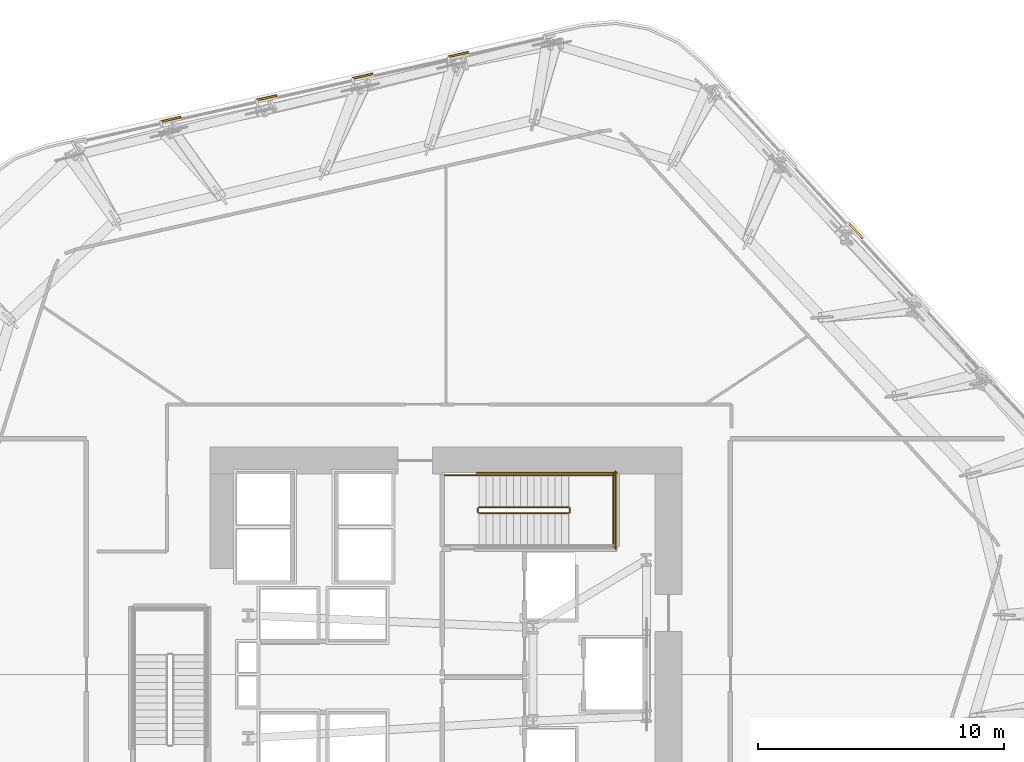
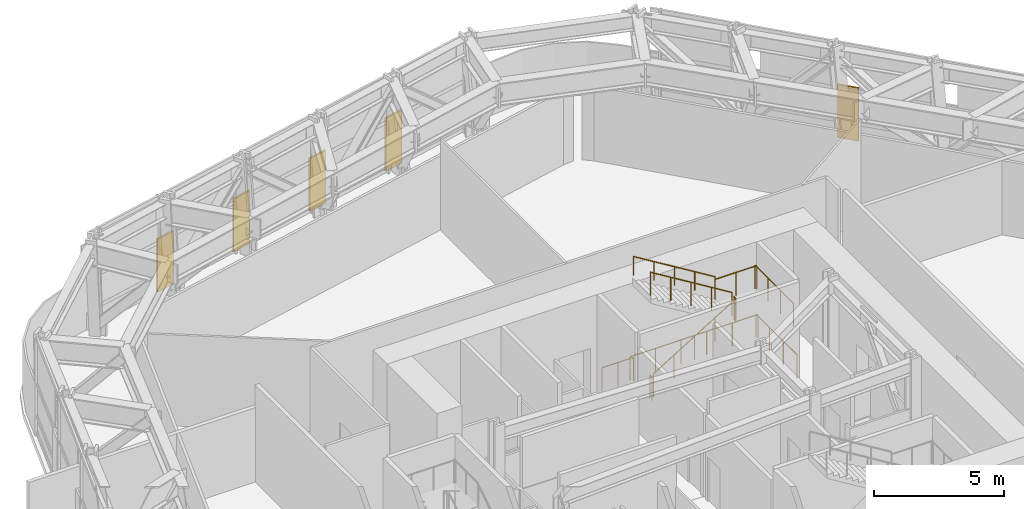
# One storey, part 15 of 16: 10 railings, 5 coverings.
"""IFC4 building model written with IfcOpenShell, lengths in metres."""

from ifc_helpers import new_model, si_unit, direction, frame, origin, origin_2d, place, context, subcontext, project, spatial, polyline, circle, outline, extrude, material, layer, layer_set, type_object, element, save


model = new_model("IFC4")

# Units and contexts
model_context = context("Model", 3, precision=1e-05, world=origin(), true_north=direction((0.0, 1.0)))
body_context = subcontext(model_context, "Body", "Model", "MODEL_VIEW")
ifc_project = project(units=[si_unit("LENGTHUNIT", "METRE"), si_unit("AREAUNIT", "SQUARE_METRE"), si_unit("VOLUMEUNIT", "CUBIC_METRE"), si_unit("PLANEANGLEUNIT", "RADIAN"), si_unit("MASSUNIT", "GRAM", prefix="KILO")], contexts=[model_context])

# Site, building, storey
site_placement = place(None, origin())
site = spatial("IfcSite", under=ifc_project, at=site_placement, CompositionType="ELEMENT")
building_placement = place(site_placement, origin())
building = spatial("IfcBuilding", under=site, at=building_placement, Name="Valkerne Bourse Tower", CompositionType="ELEMENT")
storey_placement = place(building_placement, frame((0.0, 0.0, 77.199951171875)))
storey = spatial("IfcBuildingStorey", under=building, at=storey_placement, Name="L19", CompositionType="ELEMENT", Elevation=77.199951171875)

# Coverings
ifc_material_1 = material(Name="Bronze Anodised Aluminium AA 6063-T6", Category="aluminium")
ifc_layer = layer(ifc_material_1, 0.06005859375)
ifc_layer_set = layer_set([ifc_layer], Name="Bronze Anodised Aluminium AA 6063-T6")
covering_type = type_object("IfcCoveringType", Name="COV-CRN-ALUM", PredefinedType="CLADDING", material=ifc_layer_set)
covering_1_placement = place(storey_placement, origin())
element("IfcCovering", 1, at=covering_1_placement, inside=storey, type_object=covering_type, Name="L19 Wind-Shaped Corner Aluminium Cladding 17", PredefinedType="CLADDING", context=body_context, shape_type="SweptSolid", body=[
    extrude(outline(polyline([(36.0146484375, 49.69921875), (36.031982421875, 49.62109375), (35.212646484375, 49.436279296875), (35.195068359375, 49.514404296875), (36.0146484375, 49.69921875)])), origin(), (0.0, 0.0, 1.0), 2.5),
])
covering_2_placement = place(storey_placement, origin())
element("IfcCovering", 2, at=covering_2_placement, inside=storey, type_object=covering_type, Name="L19 Wind-Shaped Corner Aluminium Cladding 18", PredefinedType="CLADDING", context=body_context, shape_type="SweptSolid", body=[
    extrude(outline(polyline([(39.912841796875, 50.577880859375), (39.93017578125, 50.5), (39.11083984375, 50.315185546875), (39.09326171875, 50.393310546875), (39.912841796875, 50.577880859375)])), origin(), (0.0, 0.0, 1.0), 2.5),
])
covering_3_placement = place(storey_placement, origin())
element("IfcCovering", 3, at=covering_3_placement, inside=storey, type_object=covering_type, Name="L19 Wind-Shaped Corner Aluminium Cladding 19", PredefinedType="CLADDING", context=body_context, shape_type="SweptSolid", body=[
    extrude(outline(polyline([(43.810791015625, 51.456787109375), (43.828369140625, 51.378662109375), (43.0087890625, 51.19384765625), (42.991455078125, 51.27197265625), (43.810791015625, 51.456787109375)])), origin(), (0.0, 0.0, 1.0), 2.5),
])
covering_4_placement = place(storey_placement, origin())
element("IfcCovering", 4, at=covering_4_placement, inside=storey, type_object=covering_type, Name="L19 Wind-Shaped Corner Aluminium Cladding 20", PredefinedType="CLADDING", context=body_context, shape_type="SweptSolid", body=[
    extrude(outline(polyline([(47.708984375, 52.33544921875), (47.7265625, 52.25732421875), (46.906982421875, 52.072509765625), (46.8896484375, 52.150634765625), (47.708984375, 52.33544921875)])), origin(), (0.0, 0.0, 1.0), 2.5),
])
covering_5_placement = place(storey_placement, origin())
element("IfcCovering", 5, at=covering_5_placement, inside=storey, type_object=covering_type, Name="L19 Wind-Shaped Corner Aluminium Cladding 23", PredefinedType="CLADDING", context=body_context, shape_type="SweptSolid", body=[
    extrude(outline(polyline([(63.77978515625, 44.75732421875), (63.720703125, 44.703125), (63.1533203125, 45.322509765625), (63.212158203125, 45.376708984375), (63.77978515625, 44.75732421875)])), origin(), (0.0, 0.0, 1.0), 2.5),
])

# Railings
ifc_material_2 = material(Name="Galvanised Painted Steel", Category="steel")
railing_type_1 = type_object("IfcRailingType", Name="RLG-ST-GUARD-1120", PredefinedType="GUARDRAIL", material=ifc_material_2)
railing_1_placement = place(storey_placement, frame((48.14990234375, 33.550048828125, 0.17138671875)))
element("IfcRailing", 6, at=railing_1_placement, inside=storey, type_object=railing_type_1, Name="L19 ST-2 stair guard 1", PredefinedType="GUARDRAIL", context=body_context, shape_type="SweptSolid", body=[
    extrude(circle(Radius=0.02392578125, at=origin_2d()), frame((0.0, 0.0, 1.09619140625), z_axis=(0.852840387347, 0.0, 0.522171689878), x_axis=(0.0, 1.0, 0.0)), (0.0, 0.0, 1.0), 4.268310546875),
    extrude(circle(Radius=0.02099609375, at=origin_2d()), origin(), (0.0, 0.0, 1.0), 1.072021484375),
    extrude(circle(Radius=0.02099609375, at=origin_2d()), frame((0.91015625, 0.0, 0.55712890625)), (0.0, 0.0, 1.0), 1.072021484375),
    extrude(circle(Radius=0.02099609375, at=origin_2d()), frame((1.820068359375, 0.0, 1.1142578125)), (0.0, 0.0, 1.0), 1.072021484375),
    extrude(circle(Radius=0.02099609375, at=origin_2d()), frame((2.72998046875, 0.0, 1.671630859375)), (0.0, 0.0, 1.0), 1.072021484375),
    extrude(circle(Radius=0.02099609375, at=origin_2d()), frame((3.64013671875, 0.0, 2.228759765625)), (0.0, 0.0, 1.0), 1.072021484375),
])
railing_2_placement = place(storey_placement, frame((51.840087890625, 33.60009765625, 2.400146484375)))
element("IfcRailing", 7, at=railing_2_placement, inside=storey, type_object=railing_type_1, Name="L19 ST-2 stair guard 2", PredefinedType="GUARDRAIL", context=body_context, shape_type="SweptSolid", body=[
    extrude(circle(Radius=0.02392578125, at=origin_2d()), frame((0.0, 0.0, 1.09619140625), z_axis=(0.0, 1.0, 0.0), x_axis=(-1.0, 0.0, 0.0)), (0.0, 0.0, 1.0), 0.14990234375),
    extrude(circle(Radius=0.02099609375, at=origin_2d()), origin(), (0.0, 0.0, 1.0), 1.072021484375),
    extrude(circle(Radius=0.02099609375, at=origin_2d()), frame((0.0, 0.14990234375, 0.0)), (0.0, 0.0, 1.0), 1.072021484375),
])
railing_3_placement = place(storey_placement, frame((51.7900390625, 35.10009765625, 2.400146484375)))
element("IfcRailing", 8, at=railing_3_placement, inside=storey, type_object=railing_type_1, Name="L19 ST-2 stair guard 4", PredefinedType="GUARDRAIL", context=body_context, shape_type="SweptSolid", body=[
    extrude(circle(Radius=0.02392578125, at=origin_2d()), frame((0.0, 0.0, 1.09619140625), z_axis=(1.0, 0.0, 0.0), x_axis=(0.0, 1.0, 0.0)), (0.0, 0.0, 1.0), 1.85986328125),
    extrude(circle(Radius=0.02099609375, at=origin_2d()), origin(), (0.0, 0.0, 1.0), 1.072021484375),
    extrude(circle(Radius=0.02099609375, at=origin_2d()), frame((0.929931640625, 0.0, 0.0)), (0.0, 0.0, 1.0), 1.072021484375),
    extrude(circle(Radius=0.02099609375, at=origin_2d()), frame((1.85986328125, 0.0, 0.0)), (0.0, 0.0, 1.0), 1.072021484375),
])
railing_4_placement = place(storey_placement, frame((53.60009765625, 32.199951171875, 2.400146484375)))
element("IfcRailing", 9, at=railing_4_placement, inside=storey, type_object=railing_type_1, Name="L19 ST-2 stair guard 5", PredefinedType="GUARDRAIL", context=body_context, shape_type="SweptSolid", body=[
    extrude(circle(Radius=0.02392578125, at=origin_2d()), frame((0.0, 0.0, 1.09619140625), z_axis=(0.0, 1.0, 0.0), x_axis=(-1.0, 0.0, 0.0)), (0.0, 0.0, 1.0), 2.949951171875),
    extrude(circle(Radius=0.02099609375, at=origin_2d()), origin(), (0.0, 0.0, 1.0), 1.072021484375),
    extrude(circle(Radius=0.02099609375, at=origin_2d()), frame((0.0, 0.9833984375, 0.0)), (0.0, 0.0, 1.0), 1.072021484375),
    extrude(circle(Radius=0.02099609375, at=origin_2d()), frame((0.0, 1.966552734375, 0.0)), (0.0, 0.0, 1.0), 1.072021484375),
    extrude(circle(Radius=0.02099609375, at=origin_2d()), frame((0.0, 2.949951171875, 0.0)), (0.0, 0.0, 1.0), 1.072021484375),
])
railing_5_placement = place(storey_placement, frame((51.7900390625, 33.800048828125, 2.571533203125)))
element("IfcRailing", 10, at=railing_5_placement, inside=storey, type_object=railing_type_1, Name="L19 ST-2 stair guard 6", PredefinedType="GUARDRAIL", context=body_context, shape_type="SweptSolid", body=[
    extrude(circle(Radius=0.02392578125, at=origin_2d()), frame((0.0, 0.0, 1.09619140625), z_axis=(-0.852865859571, 0.0, 0.52213008492), x_axis=(0.0, -1.0, 0.0)), (0.0, 0.0, 1.0), 4.26806640625),
    extrude(circle(Radius=0.02099609375, at=origin_2d()), origin(), (0.0, 0.0, 1.0), 1.072021484375),
    extrude(circle(Radius=0.02099609375, at=origin_2d()), frame((-0.91015625, 0.0, 0.55712890625)), (0.0, 0.0, 1.0), 1.072021484375),
    extrude(circle(Radius=0.02099609375, at=origin_2d()), frame((-1.820068359375, 0.0, 1.1142578125)), (0.0, 0.0, 1.0), 1.072021484375),
    extrude(circle(Radius=0.02099609375, at=origin_2d()), frame((-2.72998046875, 0.0, 1.67138671875)), (0.0, 0.0, 1.0), 1.072021484375),
    extrude(circle(Radius=0.02099609375, at=origin_2d()), frame((-3.64013671875, 0.0, 2.228515625)), (0.0, 0.0, 1.0), 1.072021484375),
])
railing_6_placement = place(storey_placement, frame((48.10009765625, 33.60009765625, 0.0)))
element("IfcRailing", 11, at=railing_6_placement, inside=storey, type_object=railing_type_1, Name="L19 ST-2 stair guard 7", PredefinedType="GUARDRAIL", context=body_context, shape_type="SweptSolid", body=[
    extrude(circle(Radius=0.02392578125, at=origin_2d()), frame((0.0, 0.0, 1.09619140625), z_axis=(0.0, 1.0, 0.0), x_axis=(-1.0, 0.0, 0.0)), (0.0, 0.0, 1.0), 0.14990234375),
    extrude(circle(Radius=0.02099609375, at=origin_2d()), origin(), (0.0, 0.0, 1.0), 1.072021484375),
    extrude(circle(Radius=0.02099609375, at=origin_2d()), frame((0.0, 0.14990234375, 0.0)), (0.0, 0.0, 1.0), 1.072021484375),
])
railing_7_placement = place(storey_placement, frame((46.75, 35.10009765625, 0.0)))
element("IfcRailing", 12, at=railing_7_placement, inside=storey, type_object=railing_type_1, Name="L19 ST-2 stair guard 9", PredefinedType="GUARDRAIL", context=body_context, shape_type="SweptSolid", body=[
    extrude(circle(Radius=0.02392578125, at=origin_2d()), frame((0.0, 0.0, 1.09619140625), z_axis=(1.0, 0.0, 0.0), x_axis=(0.0, 1.0, 0.0)), (0.0, 0.0, 1.0), 1.39990234375),
    extrude(circle(Radius=0.02099609375, at=origin_2d()), origin(), (0.0, 0.0, 1.0), 1.072021484375),
    extrude(circle(Radius=0.02099609375, at=origin_2d()), frame((0.699951171875, 0.0, 0.0)), (0.0, 0.0, 1.0), 1.072021484375),
    extrude(circle(Radius=0.02099609375, at=origin_2d()), frame((1.39990234375, 0.0, 0.0)), (0.0, 0.0, 1.0), 1.072021484375),
])
railing_8_placement = place(storey_placement, frame((48.050048828125, 35.199951171875, 0.0)))
element("IfcRailing", 13, at=railing_8_placement, inside=storey, type_object=railing_type_1, Name="L19 ST-2 stair guard 11", PredefinedType="GUARDRAIL", context=body_context, shape_type="SweptSolid", body=[
    extrude(circle(Radius=0.02392578125, at=origin_2d()), frame((0.0, 0.0, 1.09619140625), z_axis=(1.0, 0.0, 0.0), x_axis=(0.0, 1.0, 0.0)), (0.0, 0.0, 1.0), 5.699951171875),
    extrude(circle(Radius=0.02099609375, at=origin_2d()), origin(), (0.0, 0.0, 1.0), 1.072021484375),
    extrude(circle(Radius=0.02099609375, at=origin_2d()), frame((1.139892578125, 0.0, 0.0)), (0.0, 0.0, 1.0), 1.072021484375),
    extrude(circle(Radius=0.02099609375, at=origin_2d()), frame((2.280029296875, 0.0, 0.0)), (0.0, 0.0, 1.0), 1.072021484375),
    extrude(circle(Radius=0.02099609375, at=origin_2d()), frame((3.419921875, 0.0, 0.0)), (0.0, 0.0, 1.0), 1.072021484375),
    extrude(circle(Radius=0.02099609375, at=origin_2d()), frame((4.56005859375, 0.0, 0.0)), (0.0, 0.0, 1.0), 1.072021484375),
    extrude(circle(Radius=0.02099609375, at=origin_2d()), frame((5.699951171875, 0.0, 0.0)), (0.0, 0.0, 1.0), 1.072021484375),
])
railing_9_placement = place(storey_placement, frame((53.699951171875, 32.10009765625, 0.0)))
element("IfcRailing", 14, at=railing_9_placement, inside=storey, type_object=railing_type_1, Name="L19 ST-2 stair guard 12", PredefinedType="GUARDRAIL", context=body_context, shape_type="SweptSolid", body=[
    extrude(circle(Radius=0.02392578125, at=origin_2d()), frame((0.0, 0.0, 1.09619140625), z_axis=(0.0, 1.0, 0.0), x_axis=(-1.0, 0.0, 0.0)), (0.0, 0.0, 1.0), 3.14990234375),
    extrude(circle(Radius=0.02099609375, at=origin_2d()), origin(), (0.0, 0.0, 1.0), 1.072021484375),
    extrude(circle(Radius=0.02099609375, at=origin_2d()), frame((0.0, 1.050048828125, 0.0)), (0.0, 0.0, 1.0), 1.072021484375),
    extrude(circle(Radius=0.02099609375, at=origin_2d()), frame((0.0, 2.099853515625, 0.0)), (0.0, 0.0, 1.0), 1.072021484375),
    extrude(circle(Radius=0.02099609375, at=origin_2d()), frame((0.0, 3.14990234375, 0.0)), (0.0, 0.0, 1.0), 1.072021484375),
])
ifc_material_3 = material(Name="Stainless Steel AISI 316", Category="steel")
railing_type_2 = type_object("IfcRailingType", Name="RLG-ST-HANDRAIL-900", PredefinedType="HANDRAIL", material=ifc_material_3)
railing_10_placement = place(storey_placement, frame((51.7900390625, 35.10009765625, 2.742919921875)))
element("IfcRailing", 15, at=railing_10_placement, inside=storey, type_object=railing_type_2, Name="L19 ST-2 stair handrail 2", PredefinedType="HANDRAIL", context=body_context, shape_type="SweptSolid", body=[
    extrude(circle(Radius=0.02392578125, at=origin_2d()), frame((0.0, 0.0, 0.8759765625), z_axis=(-0.852865859571, 0.0, 0.52213008492), x_axis=(0.0, -1.0, 0.0)), (0.0, 0.0, 1.0), 4.26806640625),
    extrude(circle(Radius=0.02099609375, at=origin_2d()), origin(), (0.0, 0.0, 1.0), 0.851806640625),
    extrude(circle(Radius=0.02099609375, at=origin_2d()), frame((-0.91015625, 0.0, 0.55712890625)), (0.0, 0.0, 1.0), 0.851806640625),
    extrude(circle(Radius=0.02099609375, at=origin_2d()), frame((-1.820068359375, 0.0, 1.1142578125)), (0.0, 0.0, 1.0), 0.851806640625),
    extrude(circle(Radius=0.02099609375, at=origin_2d()), frame((-2.72998046875, 0.0, 1.67138671875)), (0.0, 0.0, 1.0), 0.851806640625),
    extrude(circle(Radius=0.02099609375, at=origin_2d()), frame((-3.64013671875, 0.0, 2.228515625)), (0.0, 0.0, 1.0), 0.851806640625),
])

save(model, "model.ifc")
